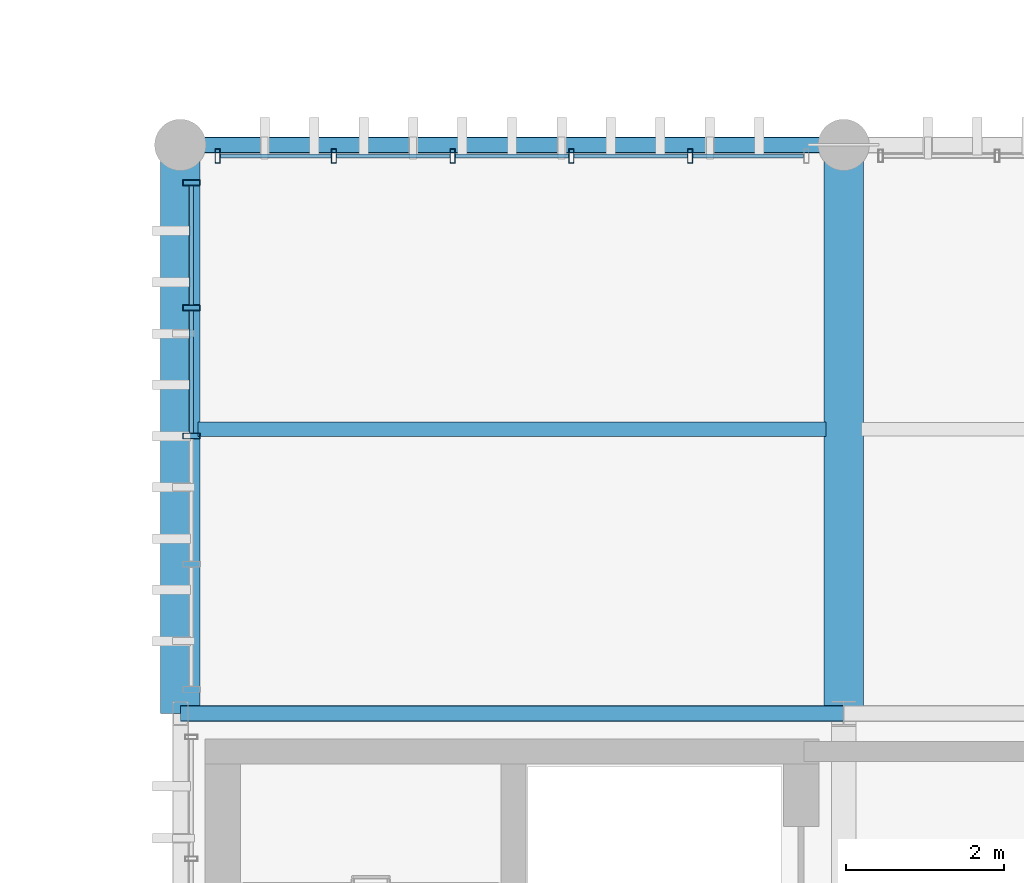
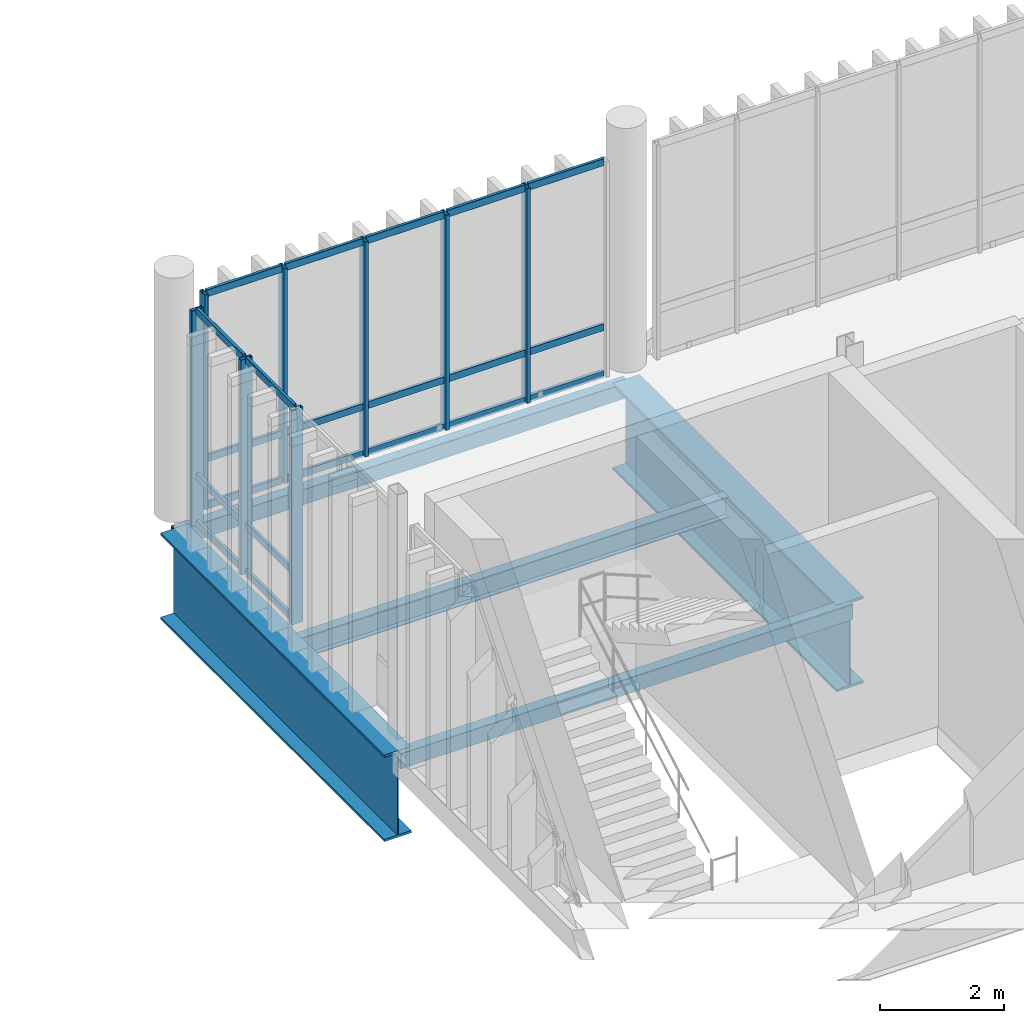
# One storey, part 27 of 86: 29 members, 5 beams, 2 elements without a shape of their own.
"""IFC4 building model written with IfcOpenShell, lengths in metres."""

from ifc_helpers import new_model, si_unit, direction, frame, origin_with_axes, origin_2d_with_axis, place, context, subcontext, project, spatial, hollow_rectangle, i_section, extrude, material, material_profile, profile_set, type_object, element, aggregate, save


model = new_model("IFC4")

# Units and contexts
model_context = context("Model", 3, precision=1e-05, world=origin_with_axes(), true_north=direction((0.0, 1.0)))
body_context = subcontext(model_context, "Body", "Model", "MODEL_VIEW")
ifc_project = project(units=[si_unit("LENGTHUNIT", "METRE"), si_unit("AREAUNIT", "SQUARE_METRE"), si_unit("VOLUMEUNIT", "CUBIC_METRE"), si_unit("PLANEANGLEUNIT", "RADIAN"), si_unit("MASSUNIT", "GRAM", prefix="KILO"), si_unit("THERMODYNAMICTEMPERATUREUNIT", "KELVIN")], contexts=[model_context])

# Site, building, storey
site_placement = place(None, origin_with_axes())
site = spatial("IfcSite", under=ifc_project, at=site_placement, CompositionType="ELEMENT")
building_placement = place(site_placement, origin_with_axes())
building = spatial("IfcBuilding", under=site, at=building_placement, Name="Montbau Bow Law Courts", CompositionType="ELEMENT")
storey_placement = place(building_placement, frame((0.0, 0.0, 29.7), z_axis=(0.0, 0.0, 1.0), x_axis=(1.0, 0.0, 0.0)))
storey = spatial("IfcBuildingStorey", under=building, at=storey_placement, Name="L06", CompositionType="ELEMENT", Elevation=29.7)

# Beams
ifc_material_1 = material(Name="Steel CSA G40.21 Grade 350W (350 MPa)", Category="steel")
ifc_material_profile_1 = material_profile(ifc_material_1, i_section(OverallWidth=0.179, OverallDepth=0.41, WebThickness=0.0088, FlangeThickness=0.0144, at=origin_2d_with_axis()), Name="W410X67", Category="Main", Priority=0)
ifc_profile_set_1 = profile_set([ifc_material_profile_1], Name="Steel CSA G40.21 Grade 350W (350 MPa)")
beam_type_1 = type_object("IfcBeamType", Name="B-JST-02", PredefinedType="JOIST", material=ifc_profile_set_1)
beam_placement = place(None, frame((55.426, 58.2, 29.155), z_axis=(1.0, 0.0, 0.0), x_axis=(0.0, 1.0, 0.0)))
element("IfcBeam", 1, at=beam_placement, inside=storey, type_object=beam_type_1, Name="JST-L06-S0517:jst2_0517", PredefinedType="JOIST", context=body_context, shape_type="SweptSolid", body=[
    extrude(i_section(OverallWidth=0.179, OverallDepth=0.41, WebThickness=0.0088, FlangeThickness=0.0144, at=origin_2d_with_axis()), origin_with_axes(), (0.0, 0.0, 1.0), 7.948),
])
ifc_material_2 = material(Name="Steel CSA G40.21 Grade 350WT (350 MPa)", Category="steel")
ifc_material_profile_2 = material_profile(ifc_material_2, hollow_rectangle(XDim=0.203, YDim=0.305, WallThickness=0.0127, InnerFilletRadius=0.0254, OuterFilletRadius=0.0127, at=origin_2d_with_axis()), Name="HSS305X203X13", Category="Main", Priority=0)
ifc_profile_set_2 = profile_set([ifc_material_profile_2], Name="Steel CSA G40.21 Grade 350WT (350 MPa)")
beam_type_2 = type_object("IfcBeamType", Name="B-SPN-02", PredefinedType="SPANDREL", material=ifc_profile_set_2)
for number, where, z_axis, x_axis, name in (
    (2, (55.2, 54.6, 29.207), (1.0, 0.0, 0.0), (0.0, 1.0, 0.0), "SPN-L06-S1002:bm2_1005"),
    (3, (55.2, 61.8, 29.207), (1.0, 0.0, 0.0), (0.0, 1.0, 0.0), "SPN-L06-S1014:bm2_1017"),
):
    element("IfcBeam", number, at=place(None, frame(where, z_axis=z_axis, x_axis=x_axis)), inside=storey, type_object=beam_type_2, Name=name, PredefinedType="SPANDREL", context=body_context, shape_type="SweptSolid", body=[
        extrude(hollow_rectangle(XDim=0.203, YDim=0.305, WallThickness=0.0127, InnerFilletRadius=0.0254, OuterFilletRadius=0.0127, at=origin_2d_with_axis()), origin_with_axes(), (0.0, 0.0, 1.0), 8.4),
    ])
ifc_material_profile_3 = material_profile(ifc_material_2, i_section(OverallWidth=0.5, OverallDepth=1.7, WebThickness=0.02, FlangeThickness=0.045, at=origin_2d_with_axis()), Name="WWF1700X480", Category="Main", Priority=0)
ifc_profile_set_3 = profile_set([ifc_material_profile_3], Name="Steel CSA G40.21 Grade 350WT (350 MPa)")
beam_type_3 = type_object("IfcBeamType", Name="B-TRG-02", PredefinedType="USERDEFINED", material=ifc_profile_set_3)
for number, where, z_axis, x_axis, name in (
    (4, (55.2, 54.6, 28.51), (0.0, 1.0, 0.0), (-1.0, 0.0, 0.0), "TRG-L06-S0070:bm2_0073"),
    (5, (63.6, 54.6, 28.51), (0.0, 1.0, 0.0), (-1.0, 0.0, 0.0), "TRG-L06-S0071:bm2_0074"),
):
    element("IfcBeam", number, at=place(None, frame(where, z_axis=z_axis, x_axis=x_axis)), inside=storey, type_object=beam_type_3, Name=name, ObjectType="GIRDER", PredefinedType="USERDEFINED", context=body_context, shape_type="SweptSolid", body=[
        extrude(i_section(OverallWidth=0.5, OverallDepth=1.7, WebThickness=0.02, FlangeThickness=0.045, at=origin_2d_with_axis()), origin_with_axes(), (0.0, 0.0, 1.0), 7.2),
    ])

# Curtain wall, members
ifc_material_3 = material(Name="Thermally Broken Extruded Aluminium AA 6063-T6", Category="aluminium")
curtain_wall_type = type_object("IfcCurtainWallType", Name="CW-CRM-02", PredefinedType="NOTDEFINED", material=ifc_material_3)
curtain_wall_1_placement = place(None, frame((55.34, 54.868, 29.7), z_axis=(0.0, 0.0, 1.0), x_axis=(1.0, 0.0, 0.0)))
curtain_wall_1 = element("IfcCurtainWall", 6, at=curtain_wall_1_placement, inside=storey, type_object=curtain_wall_type, Name="CW-L06-237:cw_0237", PredefinedType="NOTDEFINED")
ifc_material_profile_4 = material_profile(ifc_material_3, hollow_rectangle(XDim=0.075, YDim=0.22, WallThickness=0.005, InnerFilletRadius=0.01, OuterFilletRadius=0.005, at=origin_2d_with_axis()), Name="CWM-220X75", Category="Main", Priority=0)
ifc_profile_set_4 = profile_set([ifc_material_profile_4], Name="Thermally Broken Extruded Aluminium AA 6063-T6")
member_type_1 = type_object("IfcMemberType", Name="M-MUL-01", PredefinedType="MULLION", material=ifc_profile_set_4)
member_1_placement = place(None, frame((55.34, 58.114, 29.7), z_axis=(0.0, 0.0, 1.0), x_axis=(0.0, 1.0, 0.0)))
member_1 = element("IfcMember", 7, at=member_1_placement, type_object=member_type_1, Name="CW-L06-237-M03:cw_0237_M03", PredefinedType="MULLION", context=body_context, shape_type="SweptSolid", body=[
    extrude(hollow_rectangle(XDim=0.075, YDim=0.22, WallThickness=0.005, InnerFilletRadius=0.01, OuterFilletRadius=0.005, at=origin_2d_with_axis()), origin_with_axes(), (0.0, 0.0, 1.0), 4.22),
])
member_2_placement = place(None, frame((55.34, 59.737, 29.7), z_axis=(0.0, 0.0, 1.0), x_axis=(0.0, 1.0, 0.0)))
member_2 = element("IfcMember", 8, at=member_2_placement, type_object=member_type_1, Name="CW-L06-237-M04:cw_0237_M04", PredefinedType="MULLION", context=body_context, shape_type="SweptSolid", body=[
    extrude(hollow_rectangle(XDim=0.075, YDim=0.22, WallThickness=0.005, InnerFilletRadius=0.01, OuterFilletRadius=0.005, at=origin_2d_with_axis()), origin_with_axes(), (0.0, 0.0, 1.0), 4.22),
])
member_3_placement = place(None, frame((55.34, 61.322, 29.7), z_axis=(0.0, 0.0, 1.0), x_axis=(0.0, 1.0, 0.0)))
member_3 = element("IfcMember", 9, at=member_3_placement, type_object=member_type_1, Name="CW-L06-237-M05:cw_0237_M05", PredefinedType="MULLION", context=body_context, shape_type="SweptSolid", body=[
    extrude(hollow_rectangle(XDim=0.075, YDim=0.22, WallThickness=0.005, InnerFilletRadius=0.01, OuterFilletRadius=0.005, at=origin_2d_with_axis()), origin_with_axes(), (0.0, 0.0, 1.0), 4.22),
])

curtain_wall_2_placement = place(None, frame((55.64, 61.66, 29.7), z_axis=(0.0, 0.0, 1.0), x_axis=(1.0, 0.0, 0.0)))
curtain_wall_2 = element("IfcCurtainWall", 10, at=curtain_wall_2_placement, inside=storey, type_object=curtain_wall_type, Name="CW-L06-229:cw_0229", PredefinedType="NOTDEFINED")
ifc_material_profile_5 = material_profile(ifc_material_3, hollow_rectangle(XDim=0.065, YDim=0.18, WallThickness=0.005, InnerFilletRadius=0.01, OuterFilletRadius=0.005, at=origin_2d_with_axis()), Name="CWM-180X65", Category="Main", Priority=0)
ifc_profile_set_5 = profile_set([ifc_material_profile_5], Name="Thermally Broken Extruded Aluminium AA 6063-T6")
member_type_2 = type_object("IfcMemberType", Name="M-MUL-02", PredefinedType="MULLION", material=ifc_profile_set_5)
member_4_placement = place(None, frame((55.673, 61.66, 29.7), z_axis=(0.0, 0.0, 1.0), x_axis=(1.0, 0.0, 0.0)))
member_4 = element("IfcMember", 11, at=member_4_placement, type_object=member_type_2, Name="CW-L06-229-M01:cw_0229_M01", PredefinedType="MULLION", context=body_context, shape_type="SweptSolid", body=[
    extrude(hollow_rectangle(XDim=0.065, YDim=0.18, WallThickness=0.005, InnerFilletRadius=0.01, OuterFilletRadius=0.005, at=origin_2d_with_axis()), origin_with_axes(), (0.0, 0.0, 1.0), 4.22),
])
member_5_placement = place(None, frame((57.144, 61.66, 29.7), z_axis=(0.0, 0.0, 1.0), x_axis=(1.0, 0.0, 0.0)))
member_5 = element("IfcMember", 12, at=member_5_placement, type_object=member_type_2, Name="CW-L06-229-M02:cw_0229_M02", PredefinedType="MULLION", context=body_context, shape_type="SweptSolid", body=[
    extrude(hollow_rectangle(XDim=0.065, YDim=0.18, WallThickness=0.005, InnerFilletRadius=0.01, OuterFilletRadius=0.005, at=origin_2d_with_axis()), origin_with_axes(), (0.0, 0.0, 1.0), 4.22),
])
member_6_placement = place(None, frame((58.648, 61.66, 29.7), z_axis=(0.0, 0.0, 1.0), x_axis=(1.0, 0.0, 0.0)))
member_6 = element("IfcMember", 13, at=member_6_placement, type_object=member_type_2, Name="CW-L06-229-M03:cw_0229_M03", PredefinedType="MULLION", context=body_context, shape_type="SweptSolid", body=[
    extrude(hollow_rectangle(XDim=0.065, YDim=0.18, WallThickness=0.005, InnerFilletRadius=0.01, OuterFilletRadius=0.005, at=origin_2d_with_axis()), origin_with_axes(), (0.0, 0.0, 1.0), 4.22),
])
member_7_placement = place(None, frame((60.152, 61.66, 29.7), z_axis=(0.0, 0.0, 1.0), x_axis=(1.0, 0.0, 0.0)))
member_7 = element("IfcMember", 14, at=member_7_placement, type_object=member_type_2, Name="CW-L06-229-M04:cw_0229_M04", PredefinedType="MULLION", context=body_context, shape_type="SweptSolid", body=[
    extrude(hollow_rectangle(XDim=0.065, YDim=0.18, WallThickness=0.005, InnerFilletRadius=0.01, OuterFilletRadius=0.005, at=origin_2d_with_axis()), origin_with_axes(), (0.0, 0.0, 1.0), 4.22),
])
member_8_placement = place(None, frame((61.656, 61.66, 29.7), z_axis=(0.0, 0.0, 1.0), x_axis=(1.0, 0.0, 0.0)))
member_8 = element("IfcMember", 15, at=member_8_placement, type_object=member_type_2, Name="CW-L06-229-M05:cw_0229_M05", PredefinedType="MULLION", context=body_context, shape_type="SweptSolid", body=[
    extrude(hollow_rectangle(XDim=0.065, YDim=0.18, WallThickness=0.005, InnerFilletRadius=0.01, OuterFilletRadius=0.005, at=origin_2d_with_axis()), origin_with_axes(), (0.0, 0.0, 1.0), 4.22),
])
ifc_material_profile_6 = material_profile(ifc_material_3, hollow_rectangle(XDim=0.055, YDim=0.14, WallThickness=0.004, InnerFilletRadius=0.008, OuterFilletRadius=0.004, at=origin_2d_with_axis()), Name="CWT-140X55", Category="Main", Priority=0)
ifc_profile_set_6 = profile_set([ifc_material_profile_6], Name="Thermally Broken Extruded Aluminium AA 6063-T6")
member_type_3 = type_object("IfcMemberType", Name="M-TRN-02", PredefinedType="USERDEFINED", material=ifc_profile_set_6)
member_9_placement = place(None, frame((55.708, 61.66, 29.727), z_axis=(1.0, 0.0, 0.0), x_axis=(0.0, 1.0, 0.0)))
member_9 = element("IfcMember", 16, at=member_9_placement, type_object=member_type_3, Name="CW-L06-229-T01-1:cw_0229_T01_1", ObjectType="TRANSOM", PredefinedType="USERDEFINED", context=body_context, shape_type="SweptSolid", body=[
    extrude(hollow_rectangle(XDim=0.055, YDim=0.14, WallThickness=0.004, InnerFilletRadius=0.008, OuterFilletRadius=0.004, at=origin_2d_with_axis()), origin_with_axes(), (0.0, 0.0, 1.0), 1.402),
])
member_10_placement = place(None, frame((55.708, 61.66, 30.65), z_axis=(1.0, 0.0, 0.0), x_axis=(0.0, 1.0, 0.0)))
member_10 = element("IfcMember", 17, at=member_10_placement, type_object=member_type_3, Name="CW-L06-229-T01-2:cw_0229_T01_2", ObjectType="TRANSOM", PredefinedType="USERDEFINED", context=body_context, shape_type="SweptSolid", body=[
    extrude(hollow_rectangle(XDim=0.055, YDim=0.14, WallThickness=0.004, InnerFilletRadius=0.008, OuterFilletRadius=0.004, at=origin_2d_with_axis()), origin_with_axes(), (0.0, 0.0, 1.0), 1.402),
])
member_11_placement = place(None, frame((55.708, 61.66, 33.892), z_axis=(1.0, 0.0, 0.0), x_axis=(0.0, 1.0, 0.0)))
member_11 = element("IfcMember", 18, at=member_11_placement, type_object=member_type_3, Name="CW-L06-229-T01-3:cw_0229_T01_3", ObjectType="TRANSOM", PredefinedType="USERDEFINED", context=body_context, shape_type="SweptSolid", body=[
    extrude(hollow_rectangle(XDim=0.055, YDim=0.14, WallThickness=0.004, InnerFilletRadius=0.008, OuterFilletRadius=0.004, at=origin_2d_with_axis()), origin_with_axes(), (0.0, 0.0, 1.0), 1.402),
])
member_12_placement = place(None, frame((57.178, 61.66, 29.727), z_axis=(1.0, 0.0, 0.0), x_axis=(0.0, 1.0, 0.0)))
member_12 = element("IfcMember", 19, at=member_12_placement, type_object=member_type_3, Name="CW-L06-229-T02-1:cw_0229_T02_1", ObjectType="TRANSOM", PredefinedType="USERDEFINED", context=body_context, shape_type="SweptSolid", body=[
    extrude(hollow_rectangle(XDim=0.055, YDim=0.14, WallThickness=0.004, InnerFilletRadius=0.008, OuterFilletRadius=0.004, at=origin_2d_with_axis()), origin_with_axes(), (0.0, 0.0, 1.0), 1.436),
])
member_13_placement = place(None, frame((57.178, 61.66, 30.65), z_axis=(1.0, 0.0, 0.0), x_axis=(0.0, 1.0, 0.0)))
member_13 = element("IfcMember", 20, at=member_13_placement, type_object=member_type_3, Name="CW-L06-229-T02-2:cw_0229_T02_2", ObjectType="TRANSOM", PredefinedType="USERDEFINED", context=body_context, shape_type="SweptSolid", body=[
    extrude(hollow_rectangle(XDim=0.055, YDim=0.14, WallThickness=0.004, InnerFilletRadius=0.008, OuterFilletRadius=0.004, at=origin_2d_with_axis()), origin_with_axes(), (0.0, 0.0, 1.0), 1.436),
])
member_14_placement = place(None, frame((57.178, 61.66, 33.892), z_axis=(1.0, 0.0, 0.0), x_axis=(0.0, 1.0, 0.0)))
member_14 = element("IfcMember", 21, at=member_14_placement, type_object=member_type_3, Name="CW-L06-229-T02-3:cw_0229_T02_3", ObjectType="TRANSOM", PredefinedType="USERDEFINED", context=body_context, shape_type="SweptSolid", body=[
    extrude(hollow_rectangle(XDim=0.055, YDim=0.14, WallThickness=0.004, InnerFilletRadius=0.008, OuterFilletRadius=0.004, at=origin_2d_with_axis()), origin_with_axes(), (0.0, 0.0, 1.0), 1.436),
])
member_15_placement = place(None, frame((58.682, 61.66, 29.727), z_axis=(1.0, 0.0, 0.0), x_axis=(0.0, 1.0, 0.0)))
member_15 = element("IfcMember", 22, at=member_15_placement, type_object=member_type_3, Name="CW-L06-229-T03-1:cw_0229_T03_1", ObjectType="TRANSOM", PredefinedType="USERDEFINED", context=body_context, shape_type="SweptSolid", body=[
    extrude(hollow_rectangle(XDim=0.055, YDim=0.14, WallThickness=0.004, InnerFilletRadius=0.008, OuterFilletRadius=0.004, at=origin_2d_with_axis()), origin_with_axes(), (0.0, 0.0, 1.0), 1.436),
])
member_16_placement = place(None, frame((58.682, 61.66, 30.65), z_axis=(1.0, 0.0, 0.0), x_axis=(0.0, 1.0, 0.0)))
member_16 = element("IfcMember", 23, at=member_16_placement, type_object=member_type_3, Name="CW-L06-229-T03-2:cw_0229_T03_2", ObjectType="TRANSOM", PredefinedType="USERDEFINED", context=body_context, shape_type="SweptSolid", body=[
    extrude(hollow_rectangle(XDim=0.055, YDim=0.14, WallThickness=0.004, InnerFilletRadius=0.008, OuterFilletRadius=0.004, at=origin_2d_with_axis()), origin_with_axes(), (0.0, 0.0, 1.0), 1.436),
])
member_17_placement = place(None, frame((58.682, 61.66, 33.892), z_axis=(1.0, 0.0, 0.0), x_axis=(0.0, 1.0, 0.0)))
member_17 = element("IfcMember", 24, at=member_17_placement, type_object=member_type_3, Name="CW-L06-229-T03-3:cw_0229_T03_3", ObjectType="TRANSOM", PredefinedType="USERDEFINED", context=body_context, shape_type="SweptSolid", body=[
    extrude(hollow_rectangle(XDim=0.055, YDim=0.14, WallThickness=0.004, InnerFilletRadius=0.008, OuterFilletRadius=0.004, at=origin_2d_with_axis()), origin_with_axes(), (0.0, 0.0, 1.0), 1.436),
])
member_18_placement = place(None, frame((60.186, 61.66, 29.727), z_axis=(1.0, 0.0, 0.0), x_axis=(0.0, 1.0, 0.0)))
member_18 = element("IfcMember", 25, at=member_18_placement, type_object=member_type_3, Name="CW-L06-229-T04-1:cw_0229_T04_1", ObjectType="TRANSOM", PredefinedType="USERDEFINED", context=body_context, shape_type="SweptSolid", body=[
    extrude(hollow_rectangle(XDim=0.055, YDim=0.14, WallThickness=0.004, InnerFilletRadius=0.008, OuterFilletRadius=0.004, at=origin_2d_with_axis()), origin_with_axes(), (0.0, 0.0, 1.0), 1.436),
])
member_19_placement = place(None, frame((60.186, 61.66, 30.65), z_axis=(1.0, 0.0, 0.0), x_axis=(0.0, 1.0, 0.0)))
member_19 = element("IfcMember", 26, at=member_19_placement, type_object=member_type_3, Name="CW-L06-229-T04-2:cw_0229_T04_2", ObjectType="TRANSOM", PredefinedType="USERDEFINED", context=body_context, shape_type="SweptSolid", body=[
    extrude(hollow_rectangle(XDim=0.055, YDim=0.14, WallThickness=0.004, InnerFilletRadius=0.008, OuterFilletRadius=0.004, at=origin_2d_with_axis()), origin_with_axes(), (0.0, 0.0, 1.0), 1.436),
])
member_20_placement = place(None, frame((60.186, 61.66, 33.892), z_axis=(1.0, 0.0, 0.0), x_axis=(0.0, 1.0, 0.0)))
member_20 = element("IfcMember", 27, at=member_20_placement, type_object=member_type_3, Name="CW-L06-229-T04-3:cw_0229_T04_3", ObjectType="TRANSOM", PredefinedType="USERDEFINED", context=body_context, shape_type="SweptSolid", body=[
    extrude(hollow_rectangle(XDim=0.055, YDim=0.14, WallThickness=0.004, InnerFilletRadius=0.008, OuterFilletRadius=0.004, at=origin_2d_with_axis()), origin_with_axes(), (0.0, 0.0, 1.0), 1.436),
])
member_21_placement = place(None, frame((61.69, 61.66, 29.727), z_axis=(1.0, 0.0, 0.0), x_axis=(0.0, 1.0, 0.0)))
member_21 = element("IfcMember", 28, at=member_21_placement, type_object=member_type_3, Name="CW-L06-229-T05-1:cw_0229_T05_1", ObjectType="TRANSOM", PredefinedType="USERDEFINED", context=body_context, shape_type="SweptSolid", body=[
    extrude(hollow_rectangle(XDim=0.055, YDim=0.14, WallThickness=0.004, InnerFilletRadius=0.008, OuterFilletRadius=0.004, at=origin_2d_with_axis()), origin_with_axes(), (0.0, 0.0, 1.0), 1.403),
])
member_22_placement = place(None, frame((61.69, 61.66, 30.65), z_axis=(1.0, 0.0, 0.0), x_axis=(0.0, 1.0, 0.0)))
member_22 = element("IfcMember", 29, at=member_22_placement, type_object=member_type_3, Name="CW-L06-229-T05-2:cw_0229_T05_2", ObjectType="TRANSOM", PredefinedType="USERDEFINED", context=body_context, shape_type="SweptSolid", body=[
    extrude(hollow_rectangle(XDim=0.055, YDim=0.14, WallThickness=0.004, InnerFilletRadius=0.008, OuterFilletRadius=0.004, at=origin_2d_with_axis()), origin_with_axes(), (0.0, 0.0, 1.0), 1.403),
])
member_23_placement = place(None, frame((61.69, 61.66, 33.892), z_axis=(1.0, 0.0, 0.0), x_axis=(0.0, 1.0, 0.0)))
member_23 = element("IfcMember", 30, at=member_23_placement, type_object=member_type_3, Name="CW-L06-229-T05-3:cw_0229_T05_3", ObjectType="TRANSOM", PredefinedType="USERDEFINED", context=body_context, shape_type="SweptSolid", body=[
    extrude(hollow_rectangle(XDim=0.055, YDim=0.14, WallThickness=0.004, InnerFilletRadius=0.008, OuterFilletRadius=0.004, at=origin_2d_with_axis()), origin_with_axes(), (0.0, 0.0, 1.0), 1.403),
])
aggregate(curtain_wall_2, [member_4, member_5, member_6, member_7, member_8, member_9, member_10, member_11, member_12, member_13, member_14, member_15, member_16, member_17, member_18, member_19, member_20, member_21, member_22, member_23])

# Member
member_24_placement = place(None, frame((55.34, 58.153, 29.727), z_axis=(0.0, 1.0, 0.0), x_axis=(-1.0, 0.0, 0.0)))
member_24 = element("IfcMember", 31, at=member_24_placement, type_object=member_type_3, Name="CW-L06-237-T03-1:cw_0237_T03_1", ObjectType="TRANSOM", PredefinedType="USERDEFINED", context=body_context, shape_type="SweptSolid", body=[
    extrude(hollow_rectangle(XDim=0.055, YDim=0.14, WallThickness=0.004, InnerFilletRadius=0.008, OuterFilletRadius=0.004, at=origin_2d_with_axis()), origin_with_axes(), (0.0, 0.0, 1.0), 1.545),
])

member_25_placement = place(None, frame((55.34, 58.153, 30.65), z_axis=(0.0, 1.0, 0.0), x_axis=(-1.0, 0.0, 0.0)))
member_25 = element("IfcMember", 32, at=member_25_placement, type_object=member_type_3, Name="CW-L06-237-T03-2:cw_0237_T03_2", ObjectType="TRANSOM", PredefinedType="USERDEFINED", context=body_context, shape_type="SweptSolid", body=[
    extrude(hollow_rectangle(XDim=0.055, YDim=0.14, WallThickness=0.004, InnerFilletRadius=0.008, OuterFilletRadius=0.004, at=origin_2d_with_axis()), origin_with_axes(), (0.0, 0.0, 1.0), 1.545),
])

member_26_placement = place(None, frame((55.34, 58.153, 33.892), z_axis=(0.0, 1.0, 0.0), x_axis=(-1.0, 0.0, 0.0)))
member_26 = element("IfcMember", 33, at=member_26_placement, type_object=member_type_3, Name="CW-L06-237-T03-3:cw_0237_T03_3", ObjectType="TRANSOM", PredefinedType="USERDEFINED", context=body_context, shape_type="SweptSolid", body=[
    extrude(hollow_rectangle(XDim=0.055, YDim=0.14, WallThickness=0.004, InnerFilletRadius=0.008, OuterFilletRadius=0.004, at=origin_2d_with_axis()), origin_with_axes(), (0.0, 0.0, 1.0), 1.545),
])

member_27_placement = place(None, frame((55.34, 59.776, 29.727), z_axis=(0.0, 1.0, 0.0), x_axis=(-1.0, 0.0, 0.0)))
member_27 = element("IfcMember", 34, at=member_27_placement, type_object=member_type_3, Name="CW-L06-237-T04-1:cw_0237_T04_1", ObjectType="TRANSOM", PredefinedType="USERDEFINED", context=body_context, shape_type="SweptSolid", body=[
    extrude(hollow_rectangle(XDim=0.055, YDim=0.14, WallThickness=0.004, InnerFilletRadius=0.008, OuterFilletRadius=0.004, at=origin_2d_with_axis()), origin_with_axes(), (0.0, 0.0, 1.0), 1.507),
])

member_28_placement = place(None, frame((55.34, 59.776, 30.65), z_axis=(0.0, 1.0, 0.0), x_axis=(-1.0, 0.0, 0.0)))
member_28 = element("IfcMember", 35, at=member_28_placement, type_object=member_type_3, Name="CW-L06-237-T04-2:cw_0237_T04_2", ObjectType="TRANSOM", PredefinedType="USERDEFINED", context=body_context, shape_type="SweptSolid", body=[
    extrude(hollow_rectangle(XDim=0.055, YDim=0.14, WallThickness=0.004, InnerFilletRadius=0.008, OuterFilletRadius=0.004, at=origin_2d_with_axis()), origin_with_axes(), (0.0, 0.0, 1.0), 1.507),
])

member_29_placement = place(None, frame((55.34, 59.776, 33.892), z_axis=(0.0, 1.0, 0.0), x_axis=(-1.0, 0.0, 0.0)))
member_29 = element("IfcMember", 36, at=member_29_placement, type_object=member_type_3, Name="CW-L06-237-T04-3:cw_0237_T04_3", ObjectType="TRANSOM", PredefinedType="USERDEFINED", context=body_context, shape_type="SweptSolid", body=[
    extrude(hollow_rectangle(XDim=0.055, YDim=0.14, WallThickness=0.004, InnerFilletRadius=0.008, OuterFilletRadius=0.004, at=origin_2d_with_axis()), origin_with_axes(), (0.0, 0.0, 1.0), 1.507),
])

aggregate(curtain_wall_1, [member_1, member_2, member_3, member_24, member_25, member_26, member_27, member_28, member_29])

save(model, "model.ifc")
